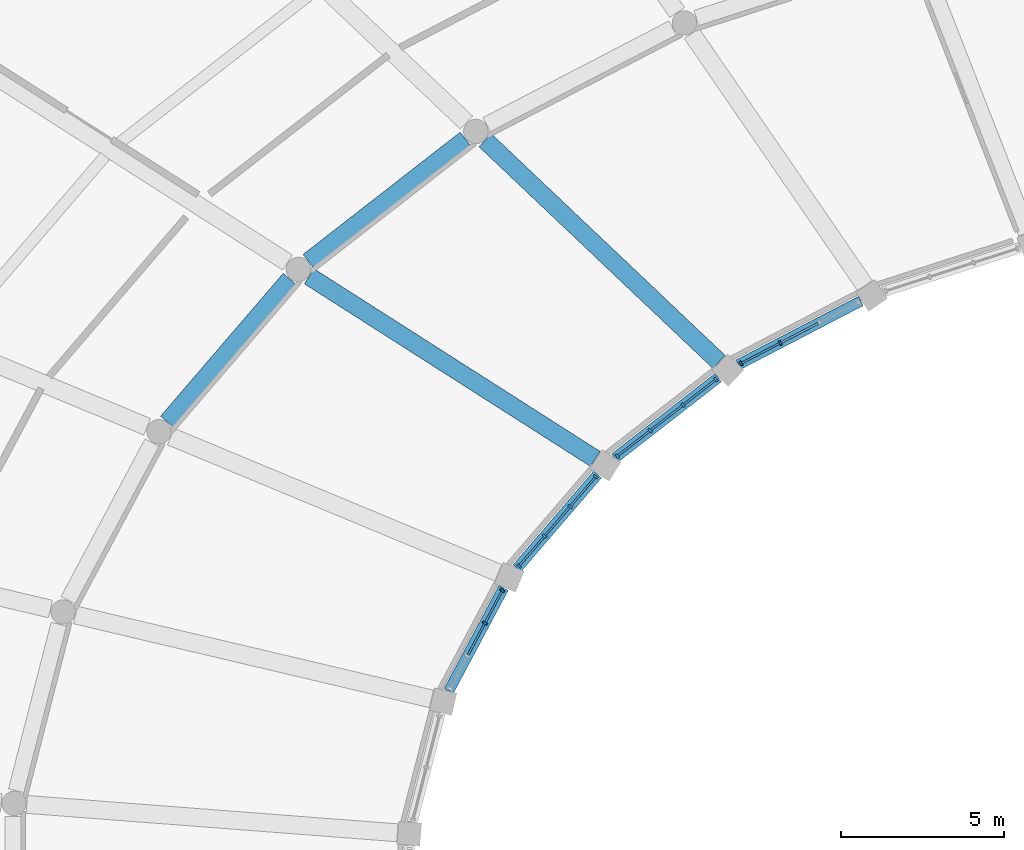
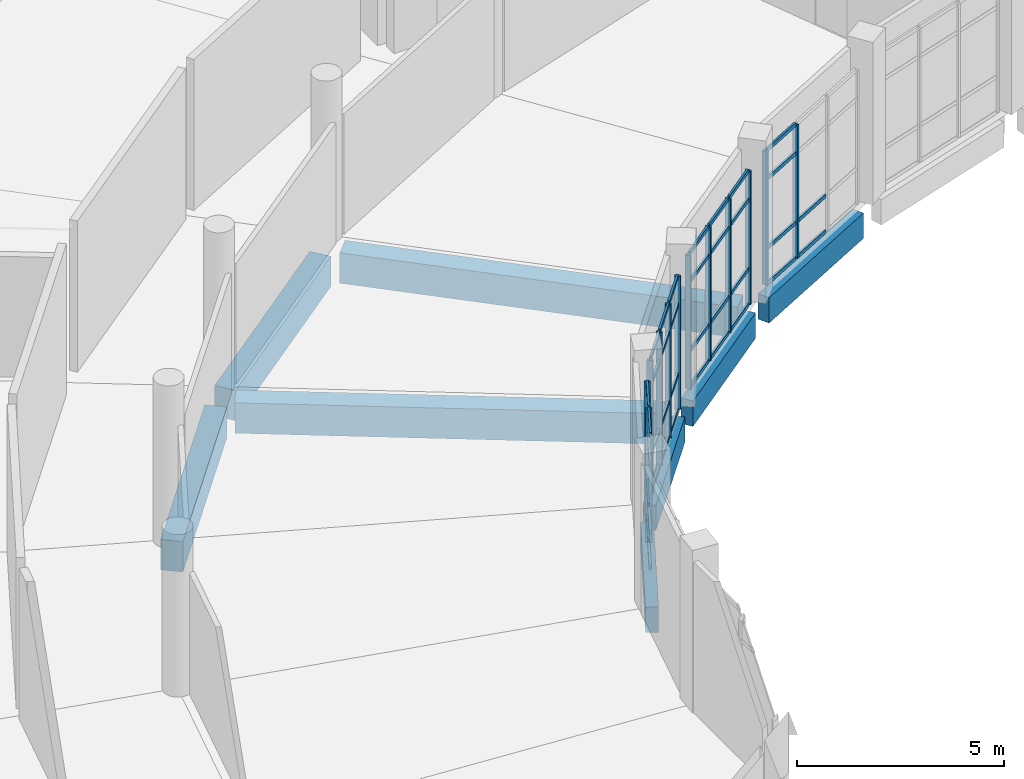
# One storey, part 19 of 179: 50 members, 8 beams, 4 elements without a shape of their own.
"""IFC4 building model written with IfcOpenShell, lengths in metres."""

from ifc_helpers import new_model, si_unit, direction, frame, origin, origin_2d, place, context, subcontext, project, spatial, rectangle, extrude, material, layer, layer_set, material_profile, profile_set, type_object, element, aggregate, save


model = new_model("IFC4")

# Units and contexts
model_context = context("Model", 3, precision=1e-05, world=origin(), true_north=direction((0.0, 1.0)))
body_context = subcontext(model_context, "Body", "Model", "MODEL_VIEW")
ifc_project = project(units=[si_unit("LENGTHUNIT", "METRE"), si_unit("AREAUNIT", "SQUARE_METRE"), si_unit("VOLUMEUNIT", "CUBIC_METRE"), si_unit("PLANEANGLEUNIT", "RADIAN"), si_unit("MASSUNIT", "GRAM", prefix="KILO")], contexts=[model_context])

# Site, building, storey
site_placement = place(None, origin())
site = spatial("IfcSite", under=ifc_project, at=site_placement, CompositionType="ELEMENT")
building_placement = place(site_placement, origin())
building = spatial("IfcBuilding", under=site, at=building_placement, Name="Corvandel Quay Wholesale Market", CompositionType="ELEMENT")
storey_placement = place(building_placement, frame((0.0, 0.0, 6.0)))
storey = spatial("IfcBuildingStorey", under=building, at=storey_placement, Name="L01", CompositionType="ELEMENT", Elevation=6.0)

# Curtain wall, members
ifc_material_1 = material(Name="Bronze anodised aluminium and low-E insulated glazing", Category="aluminium")
ifc_layer_1 = layer(ifc_material_1, 0.14990234375)
ifc_layer_set_1 = layer_set([ifc_layer_1], Name="Bronze anodised aluminium and low-E insulated glazing")
curtain_wall_type_1 = type_object("IfcCurtainWallType", Name="Stick Curtain Wall System CW25 H5250", PredefinedType="NOTDEFINED", material=ifc_layer_set_1)
curtain_wall_1_placement = place(storey_placement, origin())
curtain_wall_1 = element("IfcCurtainWall", 1, at=curtain_wall_1_placement, inside=storey, type_object=curtain_wall_type_1, Name="Curtain Wall CW-0032", PredefinedType="NOTDEFINED")
ifc_material_2 = material(Name="Anodised aluminium 6063-T6", Category="aluminium")
ifc_material_profile_1 = material_profile(ifc_material_2, rectangle(XDim=0.06494140625, YDim=0.14990234375, at=origin_2d()), Name="ALU-MUL-65x150")
ifc_profile_set_1 = profile_set([ifc_material_profile_1], Name="Anodised aluminium 6063-T6")
member_type_1 = type_object("IfcMemberType", Name="Curtain Wall Mullion ML02 65x150", PredefinedType="MULLION", material=ifc_profile_set_1)
member_1_placement = place(storey_placement, frame((98.399169921875, 59.148681640625, 0.0), z_axis=(0.0, 0.0, 1.0), x_axis=(0.887332978338, 0.461129250378, 0.0)))
member_1 = element("IfcMember", 2, at=member_1_placement, type_object=member_type_1, Name="Mullion CW-0032-M02", PredefinedType="MULLION", context=body_context, shape_type="SweptSolid", body=[
    extrude(rectangle(XDim=0.06494140625, YDim=0.14990234375, at=origin_2d()), origin(), (0.0, 0.0, 1.0), 3.949951171875),
])
member_2_placement = place(storey_placement, frame((97.197265625, 58.524169921875, 0.0), z_axis=(0.0, 0.0, 1.0), x_axis=(0.887332978338, 0.461129250378, 0.0)))
member_2 = element("IfcMember", 3, at=member_2_placement, type_object=member_type_1, Name="Mullion CW-0032-M03", PredefinedType="MULLION", context=body_context, shape_type="SweptSolid", body=[
    extrude(rectangle(XDim=0.06494140625, YDim=0.14990234375, at=origin_2d()), origin(), (0.0, 0.0, 1.0), 3.949951171875),
])

ifc_layer_2 = layer(ifc_material_1, 0.162109375)
ifc_layer_set_2 = layer_set([ifc_layer_2], Name="Bronze anodised aluminium and low-E insulated glazing")
curtain_wall_type_2 = type_object("IfcCurtainWallType", Name="Stick Curtain Wall System CW26 H5340", PredefinedType="NOTDEFINED", material=ifc_layer_set_2)
curtain_wall_2_placement = place(storey_placement, origin())
curtain_wall_2 = element("IfcCurtainWall", 4, at=curtain_wall_2_placement, inside=storey, type_object=curtain_wall_type_2, Name="Curtain Wall CW-0034", PredefinedType="NOTDEFINED")
member_3_placement = place(storey_placement, frame((96.42578125, 58.029541015625, 0.0), z_axis=(0.0, 0.0, 1.0), x_axis=(0.789405615633, 0.613871952452, 0.0)))
member_3 = element("IfcMember", 5, at=member_3_placement, type_object=member_type_1, Name="Mullion CW-0034-M00", PredefinedType="MULLION", context=body_context, shape_type="SweptSolid", body=[
    extrude(rectangle(XDim=0.06494140625, YDim=0.14990234375, at=origin_2d()), origin(), (0.0, 0.0, 1.0), 3.949951171875),
])
member_4_placement = place(storey_placement, frame((95.414306640625, 57.242919921875, 0.0), z_axis=(0.0, 0.0, 1.0), x_axis=(0.789405615633, 0.613871952452, 0.0)))
member_4 = element("IfcMember", 6, at=member_4_placement, type_object=member_type_1, Name="Mullion CW-0034-M01", PredefinedType="MULLION", context=body_context, shape_type="SweptSolid", body=[
    extrude(rectangle(XDim=0.06494140625, YDim=0.14990234375, at=origin_2d()), origin(), (0.0, 0.0, 1.0), 3.949951171875),
])
member_5_placement = place(storey_placement, frame((94.402587890625, 56.4560546875, 0.0), z_axis=(0.0, 0.0, 1.0), x_axis=(0.789405615633, 0.613871952452, 0.0)))
member_5 = element("IfcMember", 7, at=member_5_placement, type_object=member_type_1, Name="Mullion CW-0034-M02", PredefinedType="MULLION", context=body_context, shape_type="SweptSolid", body=[
    extrude(rectangle(XDim=0.06494140625, YDim=0.14990234375, at=origin_2d()), origin(), (0.0, 0.0, 1.0), 3.949951171875),
])
member_6_placement = place(storey_placement, frame((93.39111328125, 55.66943359375, 0.0), z_axis=(0.0, 0.0, 1.0), x_axis=(0.789405615633, 0.613871952452, 0.0)))
member_6 = element("IfcMember", 8, at=member_6_placement, type_object=member_type_1, Name="Mullion CW-0034-M03", PredefinedType="MULLION", context=body_context, shape_type="SweptSolid", body=[
    extrude(rectangle(XDim=0.06494140625, YDim=0.14990234375, at=origin_2d()), origin(), (0.0, 0.0, 1.0), 3.949951171875),
])

ifc_layer_3 = layer(ifc_material_1, 0.174072265625)
ifc_layer_set_3 = layer_set([ifc_layer_3], Name="Bronze anodised aluminium and low-E insulated glazing")
curtain_wall_type_3 = type_object("IfcCurtainWallType", Name="Stick Curtain Wall System CW27 H5430", PredefinedType="NOTDEFINED", material=ifc_layer_set_3)
curtain_wall_3_placement = place(storey_placement, origin())
curtain_wall_3 = element("IfcCurtainWall", 9, at=curtain_wall_3_placement, inside=storey, type_object=curtain_wall_type_3, Name="Curtain Wall CW-0038", PredefinedType="NOTDEFINED")
member_7_placement = place(storey_placement, frame((92.728271484375, 55.0380859375, 0.0), z_axis=(0.0, 0.0, 1.0), x_axis=(0.651568967347, 0.758589401976, 0.0)))
member_7 = element("IfcMember", 10, at=member_7_placement, type_object=member_type_1, Name="Mullion CW-0038-M00", PredefinedType="MULLION", context=body_context, shape_type="SweptSolid", body=[
    extrude(rectangle(XDim=0.06494140625, YDim=0.14990234375, at=origin_2d()), origin(), (0.0, 0.0, 1.0), 3.949951171875),
])
member_8_placement = place(storey_placement, frame((91.943115234375, 54.1240234375, 0.0), z_axis=(0.0, 0.0, 1.0), x_axis=(0.651568967347, 0.758589401976, 0.0)))
member_8 = element("IfcMember", 11, at=member_8_placement, type_object=member_type_1, Name="Mullion CW-0038-M01", PredefinedType="MULLION", context=body_context, shape_type="SweptSolid", body=[
    extrude(rectangle(XDim=0.06494140625, YDim=0.14990234375, at=origin_2d()), origin(), (0.0, 0.0, 1.0), 3.949951171875),
])
member_9_placement = place(storey_placement, frame((91.157958984375, 53.2099609375, 0.0), z_axis=(0.0, 0.0, 1.0), x_axis=(0.651568967347, 0.758589401976, 0.0)))
member_9 = element("IfcMember", 12, at=member_9_placement, type_object=member_type_1, Name="Mullion CW-0038-M02", PredefinedType="MULLION", context=body_context, shape_type="SweptSolid", body=[
    extrude(rectangle(XDim=0.06494140625, YDim=0.14990234375, at=origin_2d()), origin(), (0.0, 0.0, 1.0), 3.949951171875),
])
member_10_placement = place(storey_placement, frame((90.372802734375, 52.2958984375, 0.0), z_axis=(0.0, 0.0, 1.0), x_axis=(0.651568967347, 0.758589401976, 0.0)))
member_10 = element("IfcMember", 13, at=member_10_placement, type_object=member_type_1, Name="Mullion CW-0038-M03", PredefinedType="MULLION", context=body_context, shape_type="SweptSolid", body=[
    extrude(rectangle(XDim=0.06494140625, YDim=0.14990234375, at=origin_2d()), origin(), (0.0, 0.0, 1.0), 3.949951171875),
])

ifc_layer_4 = layer(ifc_material_1, 0.18603515625)
ifc_layer_set_4 = layer_set([ifc_layer_4], Name="Bronze anodised aluminium and low-E insulated glazing")
curtain_wall_type_4 = type_object("IfcCurtainWallType", Name="Stick Curtain Wall System CW28 H5520", PredefinedType="NOTDEFINED", material=ifc_layer_set_4)
curtain_wall_4_placement = place(storey_placement, origin())
curtain_wall_4 = element("IfcCurtainWall", 14, at=curtain_wall_4_placement, inside=storey, type_object=curtain_wall_type_4, Name="Curtain Wall CW-0041", PredefinedType="NOTDEFINED")
member_11_placement = place(storey_placement, frame((89.856689453125, 51.541015625, 0.0), z_axis=(0.0, 0.0, 1.0), x_axis=(0.469933808689, 0.882701657102, 0.0)))
member_11 = element("IfcMember", 15, at=member_11_placement, type_object=member_type_1, Name="Mullion CW-0041-M00", PredefinedType="MULLION", context=body_context, shape_type="SweptSolid", body=[
    extrude(rectangle(XDim=0.06494140625, YDim=0.14990234375, at=origin_2d()), origin(), (0.0, 0.0, 1.0), 3.949951171875),
])
member_12_placement = place(storey_placement, frame((89.322509765625, 50.53759765625, 0.0), z_axis=(0.0, 0.0, 1.0), x_axis=(0.469933808689, 0.882701657102, 0.0)))
member_12 = element("IfcMember", 16, at=member_12_placement, type_object=member_type_1, Name="Mullion CW-0041-M01", PredefinedType="MULLION", context=body_context, shape_type="SweptSolid", body=[
    extrude(rectangle(XDim=0.06494140625, YDim=0.14990234375, at=origin_2d()), origin(), (0.0, 0.0, 1.0), 3.949951171875),
])

# Member
ifc_material_profile_2 = material_profile(ifc_material_2, rectangle(XDim=0.06005859375, YDim=0.110107421875, at=origin_2d()), Name="ALU-TRN-60x110")
ifc_profile_set_2 = profile_set([ifc_material_profile_2], Name="Anodised aluminium 6063-T6")
member_type_2 = type_object("IfcMemberType", Name="Curtain Wall Transom TR02 60x110", PredefinedType="USERDEFINED", material=ifc_profile_set_2)
member_13_placement = place(storey_placement, frame((99.572021484375, 59.75830078125, 0.0), z_axis=(-0.887350080726, -0.46109633943, 0.0), x_axis=(0.46109633943, -0.887350080726, 0.0)))
member_13 = element("IfcMember", 17, at=member_13_placement, type_object=member_type_2, Name="Transom CW-0032-T01-0", ObjectType="TRANSOM", PredefinedType="USERDEFINED", context=body_context, shape_type="SweptSolid", body=[
    extrude(rectangle(XDim=0.06005859375, YDim=0.110107421875, at=origin_2d()), origin(), (0.0, 0.0, 1.0), 1.289306640625),
])

member_14_placement = place(storey_placement, frame((99.572021484375, 59.75830078125, 1.050048828125), z_axis=(-0.887350080726, -0.46109633943, 0.0), x_axis=(0.46109633943, -0.887350080726, 0.0)))
member_14 = element("IfcMember", 18, at=member_14_placement, type_object=member_type_2, Name="Transom CW-0032-T01-1", ObjectType="TRANSOM", PredefinedType="USERDEFINED", context=body_context, shape_type="SweptSolid", body=[
    extrude(rectangle(XDim=0.06005859375, YDim=0.110107421875, at=origin_2d()), origin(), (0.0, 0.0, 1.0), 1.289306640625),
])

member_15_placement = place(storey_placement, frame((98.3701171875, 59.1337890625, 0.0), z_axis=(-0.887272596793, -0.461245421636, 0.0), x_axis=(0.461245421636, -0.887272596793, 0.0)))
member_15 = element("IfcMember", 19, at=member_15_placement, type_object=member_type_2, Name="Transom CW-0032-T02-0", ObjectType="TRANSOM", PredefinedType="USERDEFINED", context=body_context, shape_type="SweptSolid", body=[
    extrude(rectangle(XDim=0.06005859375, YDim=0.110107421875, at=origin_2d()), origin(), (0.0, 0.0, 1.0), 1.289306640625),
])

member_16_placement = place(storey_placement, frame((98.3701171875, 59.1337890625, 1.050048828125), z_axis=(-0.887272596793, -0.461245421636, 0.0), x_axis=(0.461245421636, -0.887272596793, 0.0)))
member_16 = element("IfcMember", 20, at=member_16_placement, type_object=member_type_2, Name="Transom CW-0032-T02-1", ObjectType="TRANSOM", PredefinedType="USERDEFINED", context=body_context, shape_type="SweptSolid", body=[
    extrude(rectangle(XDim=0.06005859375, YDim=0.110107421875, at=origin_2d()), origin(), (0.0, 0.0, 1.0), 1.289306640625),
])

member_17_placement = place(storey_placement, frame((98.3701171875, 59.1337890625, 3.10009765625), z_axis=(-0.887272596793, -0.461245421636, 0.0), x_axis=(0.461245421636, -0.887272596793, 0.0)))
member_17 = element("IfcMember", 21, at=member_17_placement, type_object=member_type_2, Name="Transom CW-0032-T02-2", ObjectType="TRANSOM", PredefinedType="USERDEFINED", context=body_context, shape_type="SweptSolid", body=[
    extrude(rectangle(XDim=0.06005859375, YDim=0.110107421875, at=origin_2d()), origin(), (0.0, 0.0, 1.0), 1.289306640625),
])

member_18_placement = place(storey_placement, frame((98.3701171875, 59.1337890625, 3.949951171875), z_axis=(-0.887272596793, -0.461245421636, 0.0), x_axis=(0.461245421636, -0.887272596793, 0.0)))
member_18 = element("IfcMember", 22, at=member_18_placement, type_object=member_type_2, Name="Transom CW-0032-T02-3", ObjectType="TRANSOM", PredefinedType="USERDEFINED", context=body_context, shape_type="SweptSolid", body=[
    extrude(rectangle(XDim=0.06005859375, YDim=0.110107421875, at=origin_2d()), origin(), (0.0, 0.0, 1.0), 1.289306640625),
])

aggregate(curtain_wall_1, [member_1, member_2, member_13, member_14, member_15, member_16, member_17, member_18])

member_19_placement = place(storey_placement, frame((96.400146484375, 58.009521484375, 0.0), z_axis=(-0.789352217376, -0.613940613515, 0.0), x_axis=(0.613940613515, -0.789352217376, 0.0)))
member_19 = element("IfcMember", 23, at=member_19_placement, type_object=member_type_2, Name="Transom CW-0034-T00-0", ObjectType="TRANSOM", PredefinedType="USERDEFINED", context=body_context, shape_type="SweptSolid", body=[
    extrude(rectangle(XDim=0.06005859375, YDim=0.110107421875, at=origin_2d()), origin(), (0.0, 0.0, 1.0), 1.216552734375),
])

member_20_placement = place(storey_placement, frame((96.400146484375, 58.009521484375, 1.050048828125), z_axis=(-0.789352217376, -0.613940613515, 0.0), x_axis=(0.613940613515, -0.789352217376, 0.0)))
member_20 = element("IfcMember", 24, at=member_20_placement, type_object=member_type_2, Name="Transom CW-0034-T00-1", ObjectType="TRANSOM", PredefinedType="USERDEFINED", context=body_context, shape_type="SweptSolid", body=[
    extrude(rectangle(XDim=0.06005859375, YDim=0.110107421875, at=origin_2d()), origin(), (0.0, 0.0, 1.0), 1.216552734375),
])

member_21_placement = place(storey_placement, frame((96.400146484375, 58.009521484375, 3.10009765625), z_axis=(-0.789352217376, -0.613940613515, 0.0), x_axis=(0.613940613515, -0.789352217376, 0.0)))
member_21 = element("IfcMember", 25, at=member_21_placement, type_object=member_type_2, Name="Transom CW-0034-T00-2", ObjectType="TRANSOM", PredefinedType="USERDEFINED", context=body_context, shape_type="SweptSolid", body=[
    extrude(rectangle(XDim=0.06005859375, YDim=0.110107421875, at=origin_2d()), origin(), (0.0, 0.0, 1.0), 1.216552734375),
])

member_22_placement = place(storey_placement, frame((96.400146484375, 58.009521484375, 3.949951171875), z_axis=(-0.789352217376, -0.613940613515, 0.0), x_axis=(0.613940613515, -0.789352217376, 0.0)))
member_22 = element("IfcMember", 26, at=member_22_placement, type_object=member_type_2, Name="Transom CW-0034-T00-3", ObjectType="TRANSOM", PredefinedType="USERDEFINED", context=body_context, shape_type="SweptSolid", body=[
    extrude(rectangle(XDim=0.06005859375, YDim=0.110107421875, at=origin_2d()), origin(), (0.0, 0.0, 1.0), 1.216552734375),
])

member_23_placement = place(storey_placement, frame((95.388671875, 57.222900390625, 0.0), z_axis=(-0.789352217376, -0.613940613515, 0.0), x_axis=(0.613940613515, -0.789352217376, 0.0)))
member_23 = element("IfcMember", 27, at=member_23_placement, type_object=member_type_2, Name="Transom CW-0034-T01-0", ObjectType="TRANSOM", PredefinedType="USERDEFINED", context=body_context, shape_type="SweptSolid", body=[
    extrude(rectangle(XDim=0.06005859375, YDim=0.110107421875, at=origin_2d()), origin(), (0.0, 0.0, 1.0), 1.216552734375),
])

member_24_placement = place(storey_placement, frame((95.388671875, 57.222900390625, 1.050048828125), z_axis=(-0.789352217376, -0.613940613515, 0.0), x_axis=(0.613940613515, -0.789352217376, 0.0)))
member_24 = element("IfcMember", 28, at=member_24_placement, type_object=member_type_2, Name="Transom CW-0034-T01-1", ObjectType="TRANSOM", PredefinedType="USERDEFINED", context=body_context, shape_type="SweptSolid", body=[
    extrude(rectangle(XDim=0.06005859375, YDim=0.110107421875, at=origin_2d()), origin(), (0.0, 0.0, 1.0), 1.216552734375),
])

member_25_placement = place(storey_placement, frame((95.388671875, 57.222900390625, 3.10009765625), z_axis=(-0.789352217376, -0.613940613515, 0.0), x_axis=(0.613940613515, -0.789352217376, 0.0)))
member_25 = element("IfcMember", 29, at=member_25_placement, type_object=member_type_2, Name="Transom CW-0034-T01-2", ObjectType="TRANSOM", PredefinedType="USERDEFINED", context=body_context, shape_type="SweptSolid", body=[
    extrude(rectangle(XDim=0.06005859375, YDim=0.110107421875, at=origin_2d()), origin(), (0.0, 0.0, 1.0), 1.216552734375),
])

member_26_placement = place(storey_placement, frame((95.388671875, 57.222900390625, 3.949951171875), z_axis=(-0.789352217376, -0.613940613515, 0.0), x_axis=(0.613940613515, -0.789352217376, 0.0)))
member_26 = element("IfcMember", 30, at=member_26_placement, type_object=member_type_2, Name="Transom CW-0034-T01-3", ObjectType="TRANSOM", PredefinedType="USERDEFINED", context=body_context, shape_type="SweptSolid", body=[
    extrude(rectangle(XDim=0.06005859375, YDim=0.110107421875, at=origin_2d()), origin(), (0.0, 0.0, 1.0), 1.216552734375),
])

member_27_placement = place(storey_placement, frame((94.376953125, 56.436279296875, 0.0), z_axis=(-0.789352217376, -0.613940613515, 0.0), x_axis=(0.613940613515, -0.789352217376, 0.0)))
member_27 = element("IfcMember", 31, at=member_27_placement, type_object=member_type_2, Name="Transom CW-0034-T02-0", ObjectType="TRANSOM", PredefinedType="USERDEFINED", context=body_context, shape_type="SweptSolid", body=[
    extrude(rectangle(XDim=0.06005859375, YDim=0.110107421875, at=origin_2d()), origin(), (0.0, 0.0, 1.0), 1.216552734375),
])

member_28_placement = place(storey_placement, frame((94.376953125, 56.436279296875, 1.050048828125), z_axis=(-0.789352217376, -0.613940613515, 0.0), x_axis=(0.613940613515, -0.789352217376, 0.0)))
member_28 = element("IfcMember", 32, at=member_28_placement, type_object=member_type_2, Name="Transom CW-0034-T02-1", ObjectType="TRANSOM", PredefinedType="USERDEFINED", context=body_context, shape_type="SweptSolid", body=[
    extrude(rectangle(XDim=0.06005859375, YDim=0.110107421875, at=origin_2d()), origin(), (0.0, 0.0, 1.0), 1.216552734375),
])

member_29_placement = place(storey_placement, frame((94.376953125, 56.436279296875, 3.10009765625), z_axis=(-0.789352217376, -0.613940613515, 0.0), x_axis=(0.613940613515, -0.789352217376, 0.0)))
member_29 = element("IfcMember", 33, at=member_29_placement, type_object=member_type_2, Name="Transom CW-0034-T02-2", ObjectType="TRANSOM", PredefinedType="USERDEFINED", context=body_context, shape_type="SweptSolid", body=[
    extrude(rectangle(XDim=0.06005859375, YDim=0.110107421875, at=origin_2d()), origin(), (0.0, 0.0, 1.0), 1.216552734375),
])

member_30_placement = place(storey_placement, frame((94.376953125, 56.436279296875, 3.949951171875), z_axis=(-0.789352217376, -0.613940613515, 0.0), x_axis=(0.613940613515, -0.789352217376, 0.0)))
member_30 = element("IfcMember", 34, at=member_30_placement, type_object=member_type_2, Name="Transom CW-0034-T02-3", ObjectType="TRANSOM", PredefinedType="USERDEFINED", context=body_context, shape_type="SweptSolid", body=[
    extrude(rectangle(XDim=0.06005859375, YDim=0.110107421875, at=origin_2d()), origin(), (0.0, 0.0, 1.0), 1.216552734375),
])

aggregate(curtain_wall_2, [member_3, member_4, member_5, member_6, member_19, member_20, member_21, member_22, member_23, member_24, member_25, member_26, member_27, member_28, member_29, member_30])

member_31_placement = place(storey_placement, frame((92.70703125, 55.013427734375, 0.0), z_axis=(-0.651655105738, -0.758515407336, 0.0), x_axis=(0.758515407336, -0.651655105738, 0.0)))
member_31 = element("IfcMember", 35, at=member_31_placement, type_object=member_type_2, Name="Transom CW-0038-T00-0", ObjectType="TRANSOM", PredefinedType="USERDEFINED", context=body_context, shape_type="SweptSolid", body=[
    extrude(rectangle(XDim=0.06005859375, YDim=0.110107421875, at=origin_2d()), origin(), (0.0, 0.0, 1.0), 1.14013671875),
])

member_32_placement = place(storey_placement, frame((92.70703125, 55.013427734375, 1.050048828125), z_axis=(-0.651655105738, -0.758515407336, 0.0), x_axis=(0.758515407336, -0.651655105738, 0.0)))
member_32 = element("IfcMember", 36, at=member_32_placement, type_object=member_type_2, Name="Transom CW-0038-T00-1", ObjectType="TRANSOM", PredefinedType="USERDEFINED", context=body_context, shape_type="SweptSolid", body=[
    extrude(rectangle(XDim=0.06005859375, YDim=0.110107421875, at=origin_2d()), origin(), (0.0, 0.0, 1.0), 1.14013671875),
])

member_33_placement = place(storey_placement, frame((92.70703125, 55.013427734375, 3.10009765625), z_axis=(-0.651655105738, -0.758515407336, 0.0), x_axis=(0.758515407336, -0.651655105738, 0.0)))
member_33 = element("IfcMember", 37, at=member_33_placement, type_object=member_type_2, Name="Transom CW-0038-T00-2", ObjectType="TRANSOM", PredefinedType="USERDEFINED", context=body_context, shape_type="SweptSolid", body=[
    extrude(rectangle(XDim=0.06005859375, YDim=0.110107421875, at=origin_2d()), origin(), (0.0, 0.0, 1.0), 1.14013671875),
])

member_34_placement = place(storey_placement, frame((92.70703125, 55.013427734375, 3.949951171875), z_axis=(-0.651655105738, -0.758515407336, 0.0), x_axis=(0.758515407336, -0.651655105738, 0.0)))
member_34 = element("IfcMember", 38, at=member_34_placement, type_object=member_type_2, Name="Transom CW-0038-T00-3", ObjectType="TRANSOM", PredefinedType="USERDEFINED", context=body_context, shape_type="SweptSolid", body=[
    extrude(rectangle(XDim=0.06005859375, YDim=0.110107421875, at=origin_2d()), origin(), (0.0, 0.0, 1.0), 1.14013671875),
])

member_35_placement = place(storey_placement, frame((91.921875, 54.099365234375, 0.0), z_axis=(-0.651531870311, -0.758621263853, 0.0), x_axis=(0.758621263853, -0.651531870311, 0.0)))
member_35 = element("IfcMember", 39, at=member_35_placement, type_object=member_type_2, Name="Transom CW-0038-T01-0", ObjectType="TRANSOM", PredefinedType="USERDEFINED", context=body_context, shape_type="SweptSolid", body=[
    extrude(rectangle(XDim=0.06005859375, YDim=0.110107421875, at=origin_2d()), origin(), (0.0, 0.0, 1.0), 1.139892578125),
])

member_36_placement = place(storey_placement, frame((91.921875, 54.099365234375, 1.050048828125), z_axis=(-0.651531870311, -0.758621263853, 0.0), x_axis=(0.758621263853, -0.651531870311, 0.0)))
member_36 = element("IfcMember", 40, at=member_36_placement, type_object=member_type_2, Name="Transom CW-0038-T01-1", ObjectType="TRANSOM", PredefinedType="USERDEFINED", context=body_context, shape_type="SweptSolid", body=[
    extrude(rectangle(XDim=0.06005859375, YDim=0.110107421875, at=origin_2d()), origin(), (0.0, 0.0, 1.0), 1.139892578125),
])

member_37_placement = place(storey_placement, frame((91.921875, 54.099365234375, 3.10009765625), z_axis=(-0.651531870311, -0.758621263853, 0.0), x_axis=(0.758621263853, -0.651531870311, 0.0)))
member_37 = element("IfcMember", 41, at=member_37_placement, type_object=member_type_2, Name="Transom CW-0038-T01-2", ObjectType="TRANSOM", PredefinedType="USERDEFINED", context=body_context, shape_type="SweptSolid", body=[
    extrude(rectangle(XDim=0.06005859375, YDim=0.110107421875, at=origin_2d()), origin(), (0.0, 0.0, 1.0), 1.139892578125),
])

member_38_placement = place(storey_placement, frame((91.921875, 54.099365234375, 3.949951171875), z_axis=(-0.651531870311, -0.758621263853, 0.0), x_axis=(0.758621263853, -0.651531870311, 0.0)))
member_38 = element("IfcMember", 42, at=member_38_placement, type_object=member_type_2, Name="Transom CW-0038-T01-3", ObjectType="TRANSOM", PredefinedType="USERDEFINED", context=body_context, shape_type="SweptSolid", body=[
    extrude(rectangle(XDim=0.06005859375, YDim=0.110107421875, at=origin_2d()), origin(), (0.0, 0.0, 1.0), 1.139892578125),
])

member_39_placement = place(storey_placement, frame((91.13671875, 53.185302734375, 0.0), z_axis=(-0.651531870311, -0.758621263853, 0.0), x_axis=(0.758621263853, -0.651531870311, 0.0)))
member_39 = element("IfcMember", 43, at=member_39_placement, type_object=member_type_2, Name="Transom CW-0038-T02-0", ObjectType="TRANSOM", PredefinedType="USERDEFINED", context=body_context, shape_type="SweptSolid", body=[
    extrude(rectangle(XDim=0.06005859375, YDim=0.110107421875, at=origin_2d()), origin(), (0.0, 0.0, 1.0), 1.139892578125),
])

member_40_placement = place(storey_placement, frame((91.13671875, 53.185302734375, 1.050048828125), z_axis=(-0.651531870311, -0.758621263853, 0.0), x_axis=(0.758621263853, -0.651531870311, 0.0)))
member_40 = element("IfcMember", 44, at=member_40_placement, type_object=member_type_2, Name="Transom CW-0038-T02-1", ObjectType="TRANSOM", PredefinedType="USERDEFINED", context=body_context, shape_type="SweptSolid", body=[
    extrude(rectangle(XDim=0.06005859375, YDim=0.110107421875, at=origin_2d()), origin(), (0.0, 0.0, 1.0), 1.139892578125),
])

member_41_placement = place(storey_placement, frame((91.13671875, 53.185302734375, 3.10009765625), z_axis=(-0.651531870311, -0.758621263853, 0.0), x_axis=(0.758621263853, -0.651531870311, 0.0)))
member_41 = element("IfcMember", 45, at=member_41_placement, type_object=member_type_2, Name="Transom CW-0038-T02-2", ObjectType="TRANSOM", PredefinedType="USERDEFINED", context=body_context, shape_type="SweptSolid", body=[
    extrude(rectangle(XDim=0.06005859375, YDim=0.110107421875, at=origin_2d()), origin(), (0.0, 0.0, 1.0), 1.139892578125),
])

member_42_placement = place(storey_placement, frame((91.13671875, 53.185302734375, 3.949951171875), z_axis=(-0.651531870311, -0.758621263853, 0.0), x_axis=(0.758621263853, -0.651531870311, 0.0)))
member_42 = element("IfcMember", 46, at=member_42_placement, type_object=member_type_2, Name="Transom CW-0038-T02-3", ObjectType="TRANSOM", PredefinedType="USERDEFINED", context=body_context, shape_type="SweptSolid", body=[
    extrude(rectangle(XDim=0.06005859375, YDim=0.110107421875, at=origin_2d()), origin(), (0.0, 0.0, 1.0), 1.139892578125),
])

aggregate(curtain_wall_3, [member_7, member_8, member_9, member_10, member_31, member_32, member_33, member_34, member_35, member_36, member_37, member_38, member_39, member_40, member_41, member_42])

member_43_placement = place(storey_placement, frame((89.841552734375, 51.51220703125, 0.0), z_axis=(-0.470032340341, -0.88264919364, 0.0), x_axis=(0.88264919364, -0.470032340341, 0.0)))
member_43 = element("IfcMember", 47, at=member_43_placement, type_object=member_type_2, Name="Transom CW-0041-T00-0", ObjectType="TRANSOM", PredefinedType="USERDEFINED", context=body_context, shape_type="SweptSolid", body=[
    extrude(rectangle(XDim=0.06005859375, YDim=0.110107421875, at=origin_2d()), origin(), (0.0, 0.0, 1.0), 1.071533203125),
])

member_44_placement = place(storey_placement, frame((89.841552734375, 51.51220703125, 1.050048828125), z_axis=(-0.470032340341, -0.88264919364, 0.0), x_axis=(0.88264919364, -0.470032340341, 0.0)))
member_44 = element("IfcMember", 48, at=member_44_placement, type_object=member_type_2, Name="Transom CW-0041-T00-1", ObjectType="TRANSOM", PredefinedType="USERDEFINED", context=body_context, shape_type="SweptSolid", body=[
    extrude(rectangle(XDim=0.06005859375, YDim=0.110107421875, at=origin_2d()), origin(), (0.0, 0.0, 1.0), 1.071533203125),
])

member_45_placement = place(storey_placement, frame((89.841552734375, 51.51220703125, 3.10009765625), z_axis=(-0.470032340341, -0.88264919364, 0.0), x_axis=(0.88264919364, -0.470032340341, 0.0)))
member_45 = element("IfcMember", 49, at=member_45_placement, type_object=member_type_2, Name="Transom CW-0041-T00-2", ObjectType="TRANSOM", PredefinedType="USERDEFINED", context=body_context, shape_type="SweptSolid", body=[
    extrude(rectangle(XDim=0.06005859375, YDim=0.110107421875, at=origin_2d()), origin(), (0.0, 0.0, 1.0), 1.071533203125),
])

member_46_placement = place(storey_placement, frame((89.841552734375, 51.51220703125, 3.949951171875), z_axis=(-0.470032340341, -0.88264919364, 0.0), x_axis=(0.88264919364, -0.470032340341, 0.0)))
member_46 = element("IfcMember", 50, at=member_46_placement, type_object=member_type_2, Name="Transom CW-0041-T00-3", ObjectType="TRANSOM", PredefinedType="USERDEFINED", context=body_context, shape_type="SweptSolid", body=[
    extrude(rectangle(XDim=0.06005859375, YDim=0.110107421875, at=origin_2d()), origin(), (0.0, 0.0, 1.0), 1.071533203125),
])

member_47_placement = place(storey_placement, frame((89.307373046875, 50.5087890625, 0.0), z_axis=(-0.470032340341, -0.88264919364, 0.0), x_axis=(0.88264919364, -0.470032340341, 0.0)))
member_47 = element("IfcMember", 51, at=member_47_placement, type_object=member_type_2, Name="Transom CW-0041-T01-0", ObjectType="TRANSOM", PredefinedType="USERDEFINED", context=body_context, shape_type="SweptSolid", body=[
    extrude(rectangle(XDim=0.06005859375, YDim=0.110107421875, at=origin_2d()), origin(), (0.0, 0.0, 1.0), 1.071533203125),
])

member_48_placement = place(storey_placement, frame((89.307373046875, 50.5087890625, 1.050048828125), z_axis=(-0.470032340341, -0.88264919364, 0.0), x_axis=(0.88264919364, -0.470032340341, 0.0)))
member_48 = element("IfcMember", 52, at=member_48_placement, type_object=member_type_2, Name="Transom CW-0041-T01-1", ObjectType="TRANSOM", PredefinedType="USERDEFINED", context=body_context, shape_type="SweptSolid", body=[
    extrude(rectangle(XDim=0.06005859375, YDim=0.110107421875, at=origin_2d()), origin(), (0.0, 0.0, 1.0), 1.071533203125),
])

member_49_placement = place(storey_placement, frame((89.307373046875, 50.5087890625, 3.10009765625), z_axis=(-0.470032340341, -0.88264919364, 0.0), x_axis=(0.88264919364, -0.470032340341, 0.0)))
member_49 = element("IfcMember", 53, at=member_49_placement, type_object=member_type_2, Name="Transom CW-0041-T01-2", ObjectType="TRANSOM", PredefinedType="USERDEFINED", context=body_context, shape_type="SweptSolid", body=[
    extrude(rectangle(XDim=0.06005859375, YDim=0.110107421875, at=origin_2d()), origin(), (0.0, 0.0, 1.0), 1.071533203125),
])

member_50_placement = place(storey_placement, frame((89.307373046875, 50.5087890625, 3.949951171875), z_axis=(-0.470032340341, -0.88264919364, 0.0), x_axis=(0.88264919364, -0.470032340341, 0.0)))
member_50 = element("IfcMember", 54, at=member_50_placement, type_object=member_type_2, Name="Transom CW-0041-T01-3", ObjectType="TRANSOM", PredefinedType="USERDEFINED", context=body_context, shape_type="SweptSolid", body=[
    extrude(rectangle(XDim=0.06005859375, YDim=0.110107421875, at=origin_2d()), origin(), (0.0, 0.0, 1.0), 1.071533203125),
])

aggregate(curtain_wall_4, [member_11, member_12, member_43, member_44, member_45, member_46, member_47, member_48, member_49, member_50])

# Beams
ifc_material_3 = material(Name="Precast concrete C45/55", Category="concrete")
ifc_material_profile_3 = material_profile(ifc_material_3, rectangle(XDim=0.320068359375, YDim=0.75, at=origin_2d()), Name="PC-SPN-320x750")
ifc_profile_set_3 = profile_set([ifc_material_profile_3], Name="Precast concrete C45/55")
beam_type_1 = type_object("IfcBeamType", Name="Pavilion Precast Spandrel SP02 320x750", PredefinedType="SPANDREL", material=ifc_profile_set_3)
beam_1_placement = place(storey_placement, frame((100.8828125, 60.439453125, -0.655029296875), z_axis=(-0.88734581097, -0.461104556206, 0.0), x_axis=(0.461104556206, -0.88734581097, 0.0)))
element("IfcBeam", 55, at=beam_1_placement, inside=storey, type_object=beam_type_1, Name="Beam BM-0131", PredefinedType="SPANDREL", context=body_context, shape_type="SweptSolid", body=[
    extrude(rectangle(XDim=0.320068359375, YDim=0.75, at=origin_2d()), origin(), (0.0, 0.0, 1.0), 4.24365234375),
])
beam_2_placement = place(storey_placement, frame((96.496826171875, 58.0849609375, -0.655029296875), z_axis=(-0.78933588498, -0.613961611734, 0.0), x_axis=(0.613961611734, -0.78933588498, 0.0)))
element("IfcBeam", 56, at=beam_2_placement, inside=storey, type_object=beam_type_1, Name="Beam BM-0144", PredefinedType="SPANDREL", context=body_context, shape_type="SweptSolid", body=[
    extrude(rectangle(XDim=0.320068359375, YDim=0.75, at=origin_2d()), origin(), (0.0, 0.0, 1.0), 4.024658203125),
])
beam_3_placement = place(storey_placement, frame((92.786865234375, 55.106201171875, -0.655029296875), z_axis=(-0.651617544781, -0.758547675056, 0.0), x_axis=(0.758547675056, -0.651617544781, 0.0)))
element("IfcBeam", 57, at=beam_3_placement, inside=storey, type_object=beam_type_1, Name="Beam BM-0157", PredefinedType="SPANDREL", context=body_context, shape_type="SweptSolid", body=[
    extrude(rectangle(XDim=0.320068359375, YDim=0.75, at=origin_2d()), origin(), (0.0, 0.0, 1.0), 3.794677734375),
])
beam_4_placement = place(storey_placement, frame((89.899169921875, 51.620361328125, -0.655029296875), z_axis=(-0.469998654981, -0.882667131095, 0.0), x_axis=(0.882667131095, -0.469998654981, 0.0)))
element("IfcBeam", 58, at=beam_4_placement, inside=storey, type_object=beam_type_1, Name="Beam BM-0170", PredefinedType="SPANDREL", context=body_context, shape_type="SweptSolid", body=[
    extrude(rectangle(XDim=0.320068359375, YDim=0.75, at=origin_2d()), origin(), (0.0, 0.0, 1.0), 3.58984375),
])
ifc_material_profile_4 = material_profile(ifc_material_3, rectangle(XDim=0.550048828125, YDim=0.89990234375, at=origin_2d()), Name="PC-GIR-550x900")
ifc_profile_set_4 = profile_set([ifc_material_profile_4], Name="Precast concrete C45/55")
beam_type_2 = type_object("IfcBeamType", Name="Produce Hall Radial Girder G03 550x900", PredefinedType="USERDEFINED", material=ifc_profile_set_4)
beam_5_placement = place(storey_placement, frame((88.731201171875, 65.409423828125, -0.75), z_axis=(-0.78937585328, -0.613910223288, 0.0), x_axis=(0.613910223288, -0.78937585328, 0.0)))
element("IfcBeam", 59, at=beam_5_placement, inside=storey, type_object=beam_type_2, Name="Beam BM-0141", ObjectType="GIRDER", PredefinedType="USERDEFINED", context=body_context, shape_type="SweptSolid", body=[
    extrude(rectangle(XDim=0.550048828125, YDim=0.89990234375, at=origin_2d()), origin(), (0.0, 0.0, 1.0), 6.117919921875),
])
beam_6_placement = place(storey_placement, frame((89.32958984375, 65.38037109375, -0.72998046875), z_axis=(0.725876263785, -0.687825304619, 0.0), x_axis=(0.687825304619, 0.725876263785, 0.0)))
element("IfcBeam", 60, at=beam_6_placement, inside=storey, type_object=beam_type_2, Name="Beam BM-0145", ObjectType="GIRDER", PredefinedType="USERDEFINED", context=body_context, shape_type="SweptSolid", body=[
    extrude(rectangle(XDim=0.550048828125, YDim=0.89990234375, at=origin_2d()), origin(), (0.0, 0.0, 1.0), 9.906494140625),
])
beam_7_placement = place(storey_placement, frame((83.33251953125, 61.111328125, -0.75), z_axis=(-0.651520926354, -0.758630662789, 0.0), x_axis=(0.758630662789, -0.651520926354, 0.0)))
element("IfcBeam", 61, at=beam_7_placement, inside=storey, type_object=beam_type_2, Name="Beam BM-0154", ObjectType="GIRDER", PredefinedType="USERDEFINED", context=body_context, shape_type="SweptSolid", body=[
    extrude(rectangle(XDim=0.550048828125, YDim=0.89990234375, at=origin_2d()), origin(), (0.0, 0.0, 1.0), 5.784912109375),
])
beam_8_placement = place(storey_placement, frame((83.923095703125, 61.198486328125, -0.72998046875), z_axis=(0.842932146321, -0.538019885041, 0.0), x_axis=(0.538019885041, 0.842932146321, 0.0)))
element("IfcBeam", 62, at=beam_8_placement, inside=storey, type_object=beam_type_2, Name="Beam BM-0158", ObjectType="GIRDER", PredefinedType="USERDEFINED", context=body_context, shape_type="SweptSolid", body=[
    extrude(rectangle(XDim=0.550048828125, YDim=0.89990234375, at=origin_2d()), origin(), (0.0, 0.0, 1.0), 10.431396484375),
])

save(model, "model.ifc")
